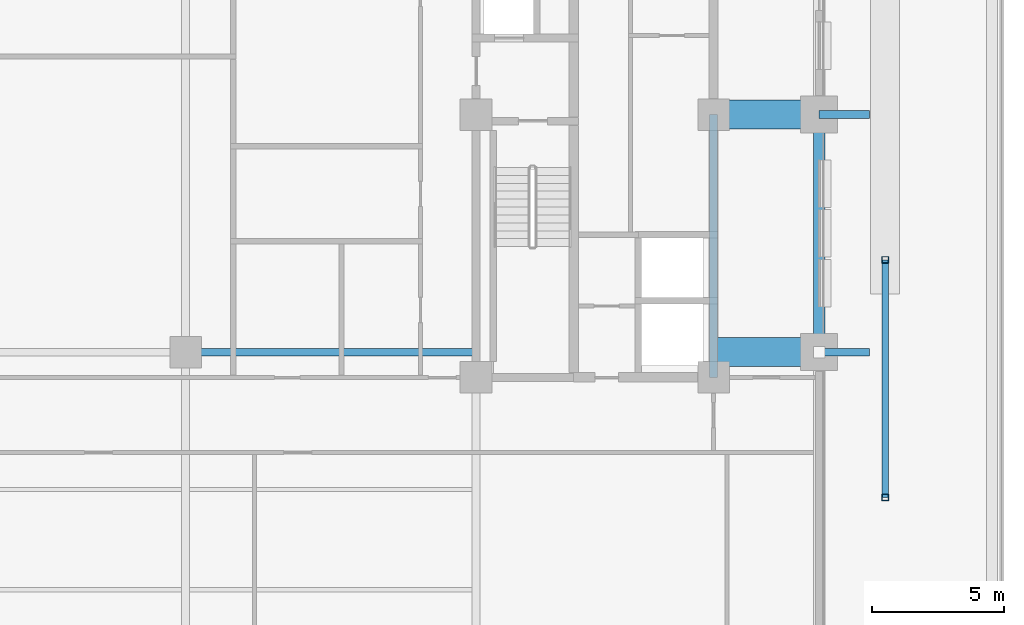
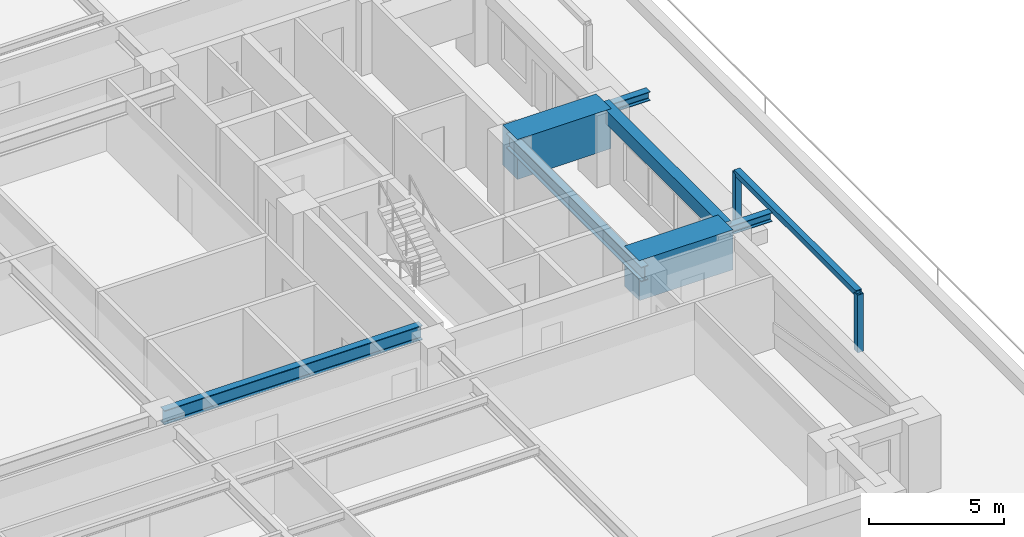
# One storey, part 2 of 18: 7 beams, 3 members.
"""IFC4 building model written with IfcOpenShell, lengths in metres."""

from ifc_helpers import new_model, si_unit, direction, frame, origin, origin_2d, place, context, subcontext, project, spatial, rectangle, hollow_rectangle, i_section, extrude, material, material_profile, profile_set, type_object, element, save


model = new_model("IFC4")

# Units and contexts
model_context = context("Model", 3, precision=1e-05, world=origin(), true_north=direction((0.0, 1.0)))
body_context = subcontext(model_context, "Body", "Model", "MODEL_VIEW")
ifc_project = project(units=[si_unit("LENGTHUNIT", "METRE"), si_unit("AREAUNIT", "SQUARE_METRE"), si_unit("VOLUMEUNIT", "CUBIC_METRE"), si_unit("PLANEANGLEUNIT", "RADIAN"), si_unit("MASSUNIT", "GRAM", prefix="KILO")], contexts=[model_context])

# Site, building, storey
site_placement = place(None, origin())
site = spatial("IfcSite", under=ifc_project, at=site_placement, CompositionType="ELEMENT")
building_placement = place(site_placement, origin())
building = spatial("IfcBuilding", under=site, at=building_placement, Name="Zulmaris Gate Convention Tower", CompositionType="ELEMENT")
storey_placement = place(building_placement, frame((0.0, 0.0, 57.18994140625)))
storey = spatial("IfcBuildingStorey", under=building, at=storey_placement, Name="L13", CompositionType="ELEMENT", Elevation=57.18994140625)

# Beams
ifc_material_1 = material(Name="Steel S355", Category="steel")
ifc_material_profile_1 = material_profile(ifc_material_1, i_section(OverallWidth=0.300048828125, OverallDepth=0.39990234375, WebThickness=0.013427734375, FlangeThickness=0.02392578125, FilletRadius=0.027099609375, at=origin_2d()), Name="HEB 400")
ifc_profile_set_1 = profile_set([ifc_material_profile_1], Name="Steel S355")
beam_type_1 = type_object("IfcBeamType", Name="BM-HEB400", PredefinedType="BEAM", material=ifc_profile_set_1)
for number, where, z_axis, x_axis, name in (
    (1, (24.0, -9.0, 2.93017578125), (1.0, 0.0, 0.0), (0.0, 1.0, 0.0), "L13 Beam TBRK-L13-E--9"),
    (2, (24.0, 0.0, 2.93017578125), (1.0, 0.0, 0.0), (0.0, 1.0, 0.0), "L13 Beam TBRK-L13-E-+0"),
):
    element("IfcBeam", number, at=place(storey_placement, frame(where, z_axis=z_axis, x_axis=x_axis)), inside=storey, type_object=beam_type_1, Name=name, PredefinedType="BEAM", context=body_context, shape_type="SweptSolid", body=[
        extrude(i_section(OverallWidth=0.300048828125, OverallDepth=0.39990234375, WebThickness=0.013427734375, FlangeThickness=0.02392578125, FilletRadius=0.027099609375, at=origin_2d()), origin(), (0.0, 0.0, 1.0), 1.89990234375),
    ])
ifc_material_profile_2 = material_profile(ifc_material_1, i_section(OverallWidth=0.300048828125, OverallDepth=0.64990234375, WebThickness=0.01611328125, FlangeThickness=0.031005859375, FilletRadius=0.027099609375, at=origin_2d()), Name="HEB 650")
ifc_profile_set_2 = profile_set([ifc_material_profile_2], Name="Steel S355")
beam_type_2 = type_object("IfcBeamType", Name="BM-HEB650", PredefinedType="BEAM", material=ifc_profile_set_2)
beam_1_placement = place(storey_placement, frame((0.0, -9.0, 2.943115234375), z_axis=(1.0, 0.0, 0.0), x_axis=(0.0, 1.0, 0.0)))
element("IfcBeam", 3, at=beam_1_placement, inside=storey, type_object=beam_type_2, Name="L13 Beam BM-L13-G02", PredefinedType="BEAM", context=body_context, shape_type="SweptSolid", body=[
    extrude(i_section(OverallWidth=0.300048828125, OverallDepth=0.64990234375, WebThickness=0.01611328125, FlangeThickness=0.031005859375, FilletRadius=0.027099609375, at=origin_2d()), origin(), (0.0, 0.0, 1.0), 11.0),
])
beam_2_placement = place(storey_placement, frame((20.0, -9.949951171875, 2.943115234375), z_axis=(0.0, 1.0, 0.0), x_axis=(-1.0, 0.0, 0.0)))
element("IfcBeam", 4, at=beam_2_placement, inside=storey, type_object=beam_type_2, Name="L13 Beam BM-L13-G28", PredefinedType="BEAM", context=body_context, shape_type="SweptSolid", body=[
    extrude(i_section(OverallWidth=0.300048828125, OverallDepth=0.64990234375, WebThickness=0.01611328125, FlangeThickness=0.031005859375, FilletRadius=0.027099609375, at=origin_2d()), origin(), (0.0, 0.0, 1.0), 9.949951171875),
])
ifc_material_2 = material(Name="Precast concrete C50/60", Category="concrete")
ifc_material_profile_3 = material_profile(ifc_material_2, rectangle(XDim=0.449951171875, YDim=0.60009765625, at=origin_2d()), Name="RC SPANDREL 450x600")
ifc_profile_set_3 = profile_set([ifc_material_profile_3], Name="Precast concrete C50/60")
beam_type_3 = type_object("IfcBeamType", Name="BM-SP450x600", PredefinedType="SPANDREL", material=ifc_profile_set_3)
beam_3_placement = place(storey_placement, frame((24.0, -9.0, 2.969970703125), z_axis=(0.0, 1.0, 0.0), x_axis=(-1.0, 0.0, 0.0)))
element("IfcBeam", 5, at=beam_3_placement, inside=storey, type_object=beam_type_3, Name="L13 Spandrel SP-L13-08", PredefinedType="SPANDREL", context=body_context, shape_type="SweptSolid", body=[
    extrude(rectangle(XDim=0.449951171875, YDim=0.60009765625, at=origin_2d()), origin(), (0.0, 0.0, 1.0), 9.0),
])
ifc_material_3 = material(Name="Concrete C80/95", Category="concrete")
ifc_material_profile_4 = material_profile(ifc_material_3, rectangle(XDim=1.10009765625, YDim=1.800048828125, at=origin_2d()), Name="RC TRANSFER 1100x1800")
ifc_profile_set_4 = profile_set([ifc_material_profile_4], Name="Concrete C80/95")
beam_type_4 = type_object("IfcBeamType", Name="BM-XFER1800", PredefinedType="BEAM", material=ifc_profile_set_4)
for number, where, z_axis, x_axis, name in (
    (6, (20.0, -9.0, 2.3701171875), (1.0, 0.0, 0.0), (0.0, 1.0, 0.0), "L13 Beam BM-L13-G19"),
    (7, (20.0, 0.0, 2.3701171875), (1.0, 0.0, 0.0), (0.0, 1.0, 0.0), "L13 Beam BM-L13-G20"),
):
    element("IfcBeam", number, at=place(storey_placement, frame(where, z_axis=z_axis, x_axis=x_axis)), inside=storey, type_object=beam_type_4, Name=name, PredefinedType="BEAM", context=body_context, shape_type="SweptSolid", body=[
        extrude(rectangle(XDim=1.10009765625, YDim=1.800048828125, at=origin_2d()), origin(), (0.0, 0.0, 1.0), 4.0),
    ])

# Members
ifc_material_profile_5 = material_profile(ifc_material_1, hollow_rectangle(XDim=0.25, YDim=0.25, WallThickness=0.012451171875, at=origin_2d()), Name="SHS 250x250x12.5")
ifc_profile_set_5 = profile_set([ifc_material_profile_5], Name="Steel S355")
member_type = type_object("IfcMemberType", Name="ST-SHS250", PredefinedType="STRUT", material=ifc_profile_set_5)
for number, where, z_axis, x_axis, name in (
    (8, (26.5, -14.5, -0.0400390625), (0.0, 0.0, 1.0), (1.0, 0.0, 0.0), "L13 Exposed Terrace Planted Pergola Post 1A"),
    (9, (26.5, -5.5, -0.0400390625), (0.0, 0.0, 1.0), (1.0, 0.0, 0.0), "L13 Exposed Terrace Planted Pergola Post 1B"),
):
    element("IfcMember", number, at=place(storey_placement, frame(where, z_axis=z_axis, x_axis=x_axis)), inside=storey, type_object=member_type, Name=name, PredefinedType="STRUT", context=body_context, shape_type="SweptSolid", body=[
        extrude(hollow_rectangle(XDim=0.25, YDim=0.25, WallThickness=0.012451171875, at=origin_2d()), origin(), (0.0, 0.0, 1.0), 2.60009765625),
    ])
member_placement = place(storey_placement, frame((26.5, -14.5, 2.56005859375), z_axis=(0.0, 1.0, 0.0), x_axis=(-1.0, 0.0, 0.0)))
element("IfcMember", 10, at=member_placement, inside=storey, type_object=member_type, Name="L13 Exposed Terrace Planted Pergola Beam 1", PredefinedType="STRUT", context=body_context, shape_type="SweptSolid", body=[
    extrude(hollow_rectangle(XDim=0.25, YDim=0.25, WallThickness=0.012451171875, at=origin_2d()), origin(), (0.0, 0.0, 1.0), 9.0),
])

save(model, "model.ifc")
